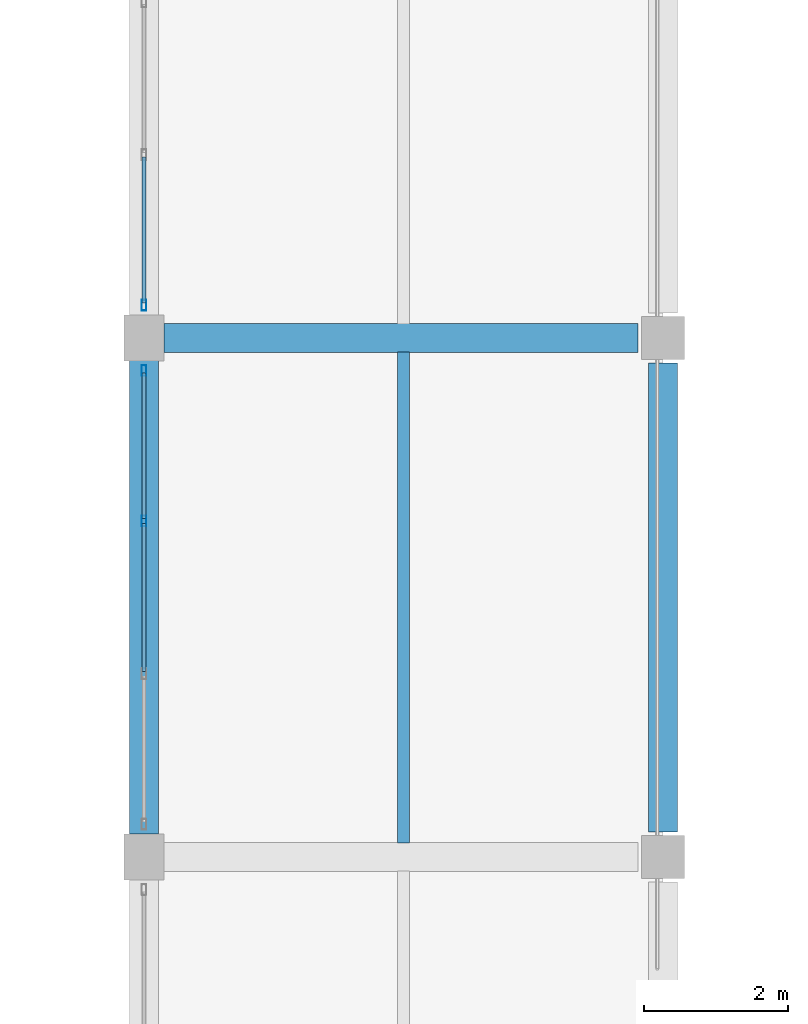
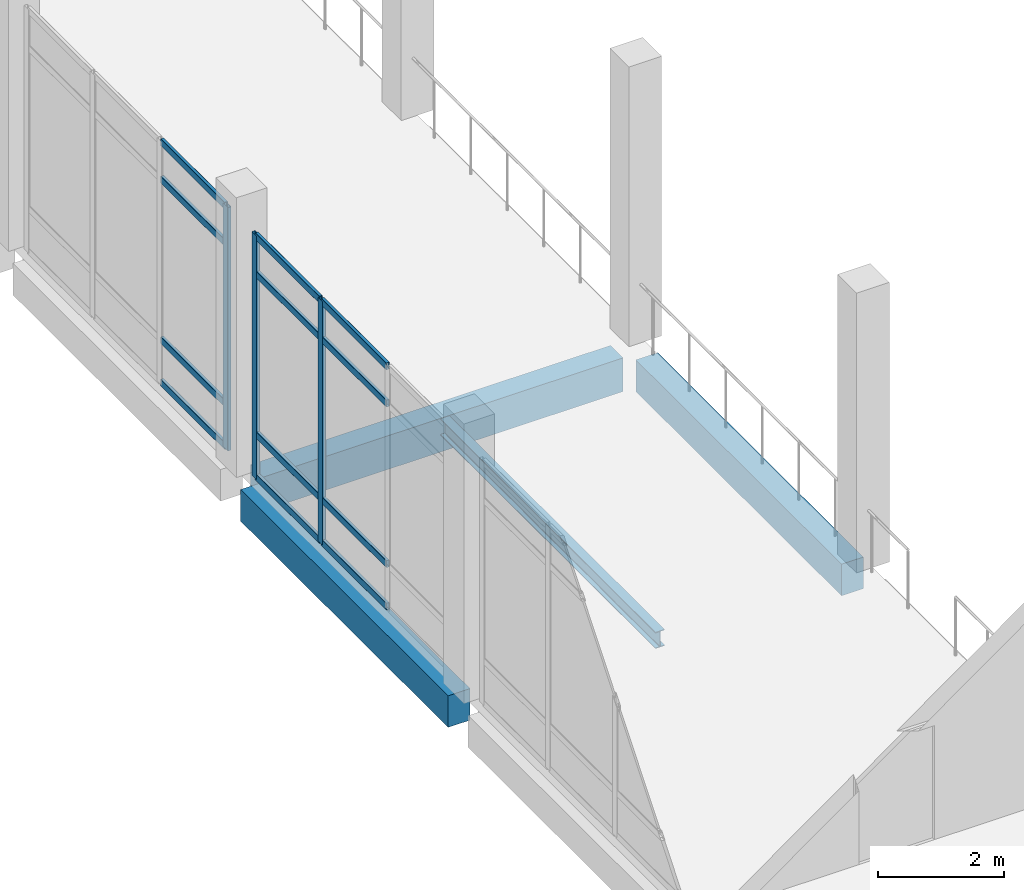
# One storey, part 109 of 180: 15 members, 4 beams, 2 elements without a shape of their own.
"""IFC4 building model written with IfcOpenShell, lengths in metres."""

from ifc_helpers import new_model, si_unit, direction, frame, origin, origin_2d, place, context, subcontext, project, spatial, rectangle, hollow_rectangle, i_section, extrude, material, material_profile, profile_set, type_object, element, aggregate, save


model = new_model("IFC4")

# Units and contexts
model_context = context("Model", 3, precision=1e-05, world=origin(), true_north=direction((0.0, 1.0)))
body_context = subcontext(model_context, "Body", "Model", "MODEL_VIEW")
ifc_project = project(units=[si_unit("LENGTHUNIT", "METRE"), si_unit("AREAUNIT", "SQUARE_METRE"), si_unit("VOLUMEUNIT", "CUBIC_METRE"), si_unit("PLANEANGLEUNIT", "RADIAN"), si_unit("MASSUNIT", "GRAM", prefix="KILO")], contexts=[model_context])

# Site, building, storey
site_placement = place(None, origin())
site = spatial("IfcSite", under=ifc_project, at=site_placement, CompositionType="ELEMENT")
building_placement = place(site_placement, origin())
building = spatial("IfcBuilding", under=site, at=building_placement, Name="Lusvemor Sports Hall", CompositionType="ELEMENT")
storey_placement = place(building_placement, frame((0.0, 0.0, 5.39990234375)))
storey = spatial("IfcBuildingStorey", under=building, at=storey_placement, Name="L01", CompositionType="ELEMENT", Elevation=5.39990234375)

# Beam
ifc_material_1 = material(Name="Concrete C40/50", Category="concrete")
ifc_material_profile_1 = material_profile(ifc_material_1, rectangle(XDim=0.39990234375, YDim=0.64990234375, at=origin_2d()), Name="RC400x650")
ifc_profile_set_1 = profile_set([ifc_material_profile_1], Name="Concrete C40/50")
beam_type_1 = type_object("IfcBeamType", Name="BEAM_RC_650", PredefinedType="BEAM", material=ifc_profile_set_1)
beam_1_placement = place(storey_placement, frame((133.47607421875, 61.199951171875, -0.5849609375), z_axis=(1.0, 0.0, 0.0), x_axis=(0.0, 1.0, 0.0)))
element("IfcBeam", 1, at=beam_1_placement, inside=storey, type_object=beam_type_1, Name="Beam L01 H:15-16", PredefinedType="BEAM", context=body_context, shape_type="SweptSolid", body=[
    extrude(rectangle(XDim=0.39990234375, YDim=0.64990234375, at=origin_2d()), origin(), (0.0, 0.0, 1.0), 6.577880859375),
])

# Curtain wall, members
ifc_material_2 = material(Name="Thermally broken bronze-anodized aluminium", Category="aluminium")
curtain_wall_type = type_object("IfcCurtainWallType", Name="CW_CLIMB_D", PredefinedType="NOTDEFINED", material=ifc_material_2)
curtain_wall_1_placement = place(storey_placement, origin())
curtain_wall_1 = element("IfcCurtainWall", 2, at=curtain_wall_1_placement, inside=storey, type_object=curtain_wall_type, Name="Curtain Wall CW-V3W-L01-1", PredefinedType="NOTDEFINED")
ifc_material_3 = material(Name="Thermally broken bronze-anodized aluminium", Category="aluminium")
ifc_material_profile_2 = material_profile(ifc_material_3, hollow_rectangle(XDim=0.06494140625, YDim=0.14990234375, WallThickness=0.00390625, InnerFilletRadius=0.00390625, OuterFilletRadius=0.008056640625, at=origin_2d()), Name="CWMUL150x65x4")
ifc_profile_set_2 = profile_set([ifc_material_profile_2], Name="Thermally broken bronze-anodized aluminium")
member_type_1 = type_object("IfcMemberType", Name="CW_MUL_B", PredefinedType="MULLION", material=ifc_profile_set_2)
member_1_placement = place(storey_placement, frame((133.199951171875, 58.659912109375, 0.0), z_axis=(0.0, 0.0, 1.0), x_axis=(-1.0, 0.0, 0.0)))
member_1 = element("IfcMember", 3, at=member_1_placement, type_object=member_type_1, Name="CW04 mullion 3", PredefinedType="MULLION", context=body_context, shape_type="SweptSolid", body=[
    extrude(hollow_rectangle(XDim=0.06494140625, YDim=0.14990234375, WallThickness=0.00390625, InnerFilletRadius=0.00390625, OuterFilletRadius=0.008056640625, at=origin_2d()), origin(), (0.0, 0.0, 1.0), 4.7001953125),
])
member_2_placement = place(storey_placement, frame((133.199951171875, 60.74755859375, 0.0), z_axis=(0.0, 0.0, 1.0), x_axis=(-1.0, 0.0, 0.0)))
member_2 = element("IfcMember", 4, at=member_2_placement, type_object=member_type_1, Name="CW04 mullion 4", PredefinedType="MULLION", context=body_context, shape_type="SweptSolid", body=[
    extrude(hollow_rectangle(XDim=0.06494140625, YDim=0.14990234375, WallThickness=0.00390625, InnerFilletRadius=0.00390625, OuterFilletRadius=0.008056640625, at=origin_2d()), origin(), (0.0, 0.0, 1.0), 4.7001953125),
])

# Curtain wall, member
curtain_wall_2_placement = place(storey_placement, origin())
curtain_wall_2 = element("IfcCurtainWall", 5, at=curtain_wall_2_placement, inside=storey, type_object=curtain_wall_type, Name="Curtain Wall CW-V3W-L01-2", PredefinedType="NOTDEFINED")
member_3_placement = place(storey_placement, frame((133.199951171875, 61.652587890625, 0.0), z_axis=(0.0, 0.0, 1.0), x_axis=(-1.0, 0.0, 0.0)))
member_3 = element("IfcMember", 6, at=member_3_placement, type_object=member_type_1, Name="CW04 mullion 1", PredefinedType="MULLION", context=body_context, shape_type="SweptSolid", body=[
    extrude(hollow_rectangle(XDim=0.06494140625, YDim=0.14990234375, WallThickness=0.00390625, InnerFilletRadius=0.00390625, OuterFilletRadius=0.008056640625, at=origin_2d()), origin(), (0.0, 0.0, 1.0), 4.7001953125),
])

# Member
ifc_material_4 = material(Name="Thermally broken bronze-anodized aluminium", Category="aluminium")
ifc_material_profile_3 = material_profile(ifc_material_4, hollow_rectangle(XDim=0.06005859375, YDim=0.135009765625, WallThickness=0.00390625, InnerFilletRadius=0.00390625, OuterFilletRadius=0.008056640625, at=origin_2d()), Name="CWTRN135x60x4")
ifc_profile_set_3 = profile_set([ifc_material_profile_3], Name="Thermally broken bronze-anodized aluminium")
member_type_2 = type_object("IfcMemberType", Name="CW_TRN_B", PredefinedType="USERDEFINED", material=ifc_profile_set_3)
member_4_placement = place(storey_placement, frame((133.199951171875, 56.572509765625, 0.030029296875), z_axis=(0.0, 1.0, 0.0), x_axis=(-1.0, 0.0, 0.0)))
member_4 = element("IfcMember", 7, at=member_4_placement, type_object=member_type_2, Name="CW04 transom 2.1", ObjectType="TRANSOM", PredefinedType="USERDEFINED", context=body_context, shape_type="SweptSolid", body=[
    extrude(hollow_rectangle(XDim=0.06005859375, YDim=0.135009765625, WallThickness=0.00390625, InnerFilletRadius=0.00390625, OuterFilletRadius=0.008056640625, at=origin_2d()), origin(), (0.0, 0.0, 1.0), 2.054931640625),
])

member_5_placement = place(storey_placement, frame((133.199951171875, 56.572509765625, 0.85009765625), z_axis=(0.0, 1.0, 0.0), x_axis=(-1.0, 0.0, 0.0)))
member_5 = element("IfcMember", 8, at=member_5_placement, type_object=member_type_2, Name="CW04 transom 2.2", ObjectType="TRANSOM", PredefinedType="USERDEFINED", context=body_context, shape_type="SweptSolid", body=[
    extrude(hollow_rectangle(XDim=0.06005859375, YDim=0.135009765625, WallThickness=0.00390625, InnerFilletRadius=0.00390625, OuterFilletRadius=0.008056640625, at=origin_2d()), origin(), (0.0, 0.0, 1.0), 2.054931640625),
])

member_6_placement = place(storey_placement, frame((133.199951171875, 56.572509765625, 3.9501953125), z_axis=(0.0, 1.0, 0.0), x_axis=(-1.0, 0.0, 0.0)))
member_6 = element("IfcMember", 9, at=member_6_placement, type_object=member_type_2, Name="CW04 transom 2.3", ObjectType="TRANSOM", PredefinedType="USERDEFINED", context=body_context, shape_type="SweptSolid", body=[
    extrude(hollow_rectangle(XDim=0.06005859375, YDim=0.135009765625, WallThickness=0.00390625, InnerFilletRadius=0.00390625, OuterFilletRadius=0.008056640625, at=origin_2d()), origin(), (0.0, 0.0, 1.0), 2.054931640625),
])

member_7_placement = place(storey_placement, frame((133.199951171875, 56.572509765625, 4.670166015625), z_axis=(0.0, 1.0, 0.0), x_axis=(-1.0, 0.0, 0.0)))
member_7 = element("IfcMember", 10, at=member_7_placement, type_object=member_type_2, Name="CW04 transom 2.4", ObjectType="TRANSOM", PredefinedType="USERDEFINED", context=body_context, shape_type="SweptSolid", body=[
    extrude(hollow_rectangle(XDim=0.06005859375, YDim=0.135009765625, WallThickness=0.00390625, InnerFilletRadius=0.00390625, OuterFilletRadius=0.008056640625, at=origin_2d()), origin(), (0.0, 0.0, 1.0), 2.054931640625),
])

member_8_placement = place(storey_placement, frame((133.199951171875, 58.6923828125, 0.030029296875), z_axis=(0.0, 1.0, 0.0), x_axis=(-1.0, 0.0, 0.0)))
member_8 = element("IfcMember", 11, at=member_8_placement, type_object=member_type_2, Name="CW04 transom 3.1", ObjectType="TRANSOM", PredefinedType="USERDEFINED", context=body_context, shape_type="SweptSolid", body=[
    extrude(hollow_rectangle(XDim=0.06005859375, YDim=0.135009765625, WallThickness=0.00390625, InnerFilletRadius=0.00390625, OuterFilletRadius=0.008056640625, at=origin_2d()), origin(), (0.0, 0.0, 1.0), 2.022705078125),
])

member_9_placement = place(storey_placement, frame((133.199951171875, 58.6923828125, 0.85009765625), z_axis=(0.0, 1.0, 0.0), x_axis=(-1.0, 0.0, 0.0)))
member_9 = element("IfcMember", 12, at=member_9_placement, type_object=member_type_2, Name="CW04 transom 3.2", ObjectType="TRANSOM", PredefinedType="USERDEFINED", context=body_context, shape_type="SweptSolid", body=[
    extrude(hollow_rectangle(XDim=0.06005859375, YDim=0.135009765625, WallThickness=0.00390625, InnerFilletRadius=0.00390625, OuterFilletRadius=0.008056640625, at=origin_2d()), origin(), (0.0, 0.0, 1.0), 2.022705078125),
])

member_10_placement = place(storey_placement, frame((133.199951171875, 58.6923828125, 3.9501953125), z_axis=(0.0, 1.0, 0.0), x_axis=(-1.0, 0.0, 0.0)))
member_10 = element("IfcMember", 13, at=member_10_placement, type_object=member_type_2, Name="CW04 transom 3.3", ObjectType="TRANSOM", PredefinedType="USERDEFINED", context=body_context, shape_type="SweptSolid", body=[
    extrude(hollow_rectangle(XDim=0.06005859375, YDim=0.135009765625, WallThickness=0.00390625, InnerFilletRadius=0.00390625, OuterFilletRadius=0.008056640625, at=origin_2d()), origin(), (0.0, 0.0, 1.0), 2.022705078125),
])

member_11_placement = place(storey_placement, frame((133.199951171875, 58.6923828125, 4.670166015625), z_axis=(0.0, 1.0, 0.0), x_axis=(-1.0, 0.0, 0.0)))
member_11 = element("IfcMember", 14, at=member_11_placement, type_object=member_type_2, Name="CW04 transom 3.4", ObjectType="TRANSOM", PredefinedType="USERDEFINED", context=body_context, shape_type="SweptSolid", body=[
    extrude(hollow_rectangle(XDim=0.06005859375, YDim=0.135009765625, WallThickness=0.00390625, InnerFilletRadius=0.00390625, OuterFilletRadius=0.008056640625, at=origin_2d()), origin(), (0.0, 0.0, 1.0), 2.022705078125),
])

aggregate(curtain_wall_1, [member_1, member_2, member_4, member_5, member_6, member_7, member_8, member_9, member_10, member_11])

member_12_placement = place(storey_placement, frame((133.199951171875, 61.68505859375, 0.030029296875), z_axis=(0.0, 1.0, 0.0), x_axis=(-1.0, 0.0, 0.0)))
member_12 = element("IfcMember", 15, at=member_12_placement, type_object=member_type_2, Name="CW04 transom 1.1", ObjectType="TRANSOM", PredefinedType="USERDEFINED", context=body_context, shape_type="SweptSolid", body=[
    extrude(hollow_rectangle(XDim=0.06005859375, YDim=0.135009765625, WallThickness=0.00390625, InnerFilletRadius=0.00390625, OuterFilletRadius=0.008056640625, at=origin_2d()), origin(), (0.0, 0.0, 1.0), 2.0224609375),
])

member_13_placement = place(storey_placement, frame((133.199951171875, 61.68505859375, 0.85009765625), z_axis=(0.0, 1.0, 0.0), x_axis=(-1.0, 0.0, 0.0)))
member_13 = element("IfcMember", 16, at=member_13_placement, type_object=member_type_2, Name="CW04 transom 1.2", ObjectType="TRANSOM", PredefinedType="USERDEFINED", context=body_context, shape_type="SweptSolid", body=[
    extrude(hollow_rectangle(XDim=0.06005859375, YDim=0.135009765625, WallThickness=0.00390625, InnerFilletRadius=0.00390625, OuterFilletRadius=0.008056640625, at=origin_2d()), origin(), (0.0, 0.0, 1.0), 2.0224609375),
])

member_14_placement = place(storey_placement, frame((133.199951171875, 61.68505859375, 3.9501953125), z_axis=(0.0, 1.0, 0.0), x_axis=(-1.0, 0.0, 0.0)))
member_14 = element("IfcMember", 17, at=member_14_placement, type_object=member_type_2, Name="CW04 transom 1.3", ObjectType="TRANSOM", PredefinedType="USERDEFINED", context=body_context, shape_type="SweptSolid", body=[
    extrude(hollow_rectangle(XDim=0.06005859375, YDim=0.135009765625, WallThickness=0.00390625, InnerFilletRadius=0.00390625, OuterFilletRadius=0.008056640625, at=origin_2d()), origin(), (0.0, 0.0, 1.0), 2.0224609375),
])

member_15_placement = place(storey_placement, frame((133.199951171875, 61.68505859375, 4.670166015625), z_axis=(0.0, 1.0, 0.0), x_axis=(-1.0, 0.0, 0.0)))
member_15 = element("IfcMember", 18, at=member_15_placement, type_object=member_type_2, Name="CW04 transom 1.4", ObjectType="TRANSOM", PredefinedType="USERDEFINED", context=body_context, shape_type="SweptSolid", body=[
    extrude(hollow_rectangle(XDim=0.06005859375, YDim=0.135009765625, WallThickness=0.00390625, InnerFilletRadius=0.00390625, OuterFilletRadius=0.008056640625, at=origin_2d()), origin(), (0.0, 0.0, 1.0), 2.0224609375),
])

aggregate(curtain_wall_2, [member_3, member_12, member_13, member_14, member_15])

# Beams
ifc_material_5 = material(Name="Steel S355", Category="steel")
ifc_material_profile_4 = material_profile(ifc_material_5, i_section(OverallWidth=0.1669921875, OverallDepth=0.31689453125, WebThickness=0.007568359375, FlangeThickness=0.01318359375, FilletRadius=0.014892578125, at=origin_2d()), Name="W310x52.0")
ifc_profile_set_4 = profile_set([ifc_material_profile_4], Name="Steel S355")
beam_type_2 = type_object("IfcBeamType", Name="JOIST_ST_310M", PredefinedType="JOIST", material=ifc_profile_set_4)
beam_2_placement = place(storey_placement, frame((136.800048828125, 54.196044921875, -0.42236328125), z_axis=(0.0, 1.0, 0.0), x_axis=(-1.0, 0.0, 0.0)))
element("IfcBeam", 19, at=beam_2_placement, inside=storey, type_object=beam_type_2, Name="Secondary Joist L01 15-16/G-H #1", PredefinedType="JOIST", context=body_context, shape_type="SweptSolid", body=[
    extrude(i_section(OverallWidth=0.1669921875, OverallDepth=0.31689453125, WebThickness=0.007568359375, FlangeThickness=0.01318359375, FilletRadius=0.014892578125, at=origin_2d()), origin(), (0.0, 0.0, 1.0), 6.807861328125),
])
ifc_material_6 = material(Name="Concrete C40/50", Category="concrete")
ifc_material_profile_5 = material_profile(ifc_material_6, rectangle(XDim=0.39990234375, YDim=0.610107421875, at=origin_2d()), Name="RC400x610")
ifc_profile_set_5 = profile_set([ifc_material_profile_5], Name="Concrete C40/50")
beam_type_3 = type_object("IfcBeamType", Name="SPAND_EXT_650", PredefinedType="SPANDREL", material=ifc_profile_set_5)
beam_3_placement = place(storey_placement, frame((133.199951171875, 54.31591796875, -0.56494140625), z_axis=(0.0, 1.0, 0.0), x_axis=(-1.0, 0.0, 0.0)))
element("IfcBeam", 20, at=beam_3_placement, inside=storey, type_object=beam_type_3, Name="Beam L01 15:G-H", PredefinedType="SPANDREL", context=body_context, shape_type="SweptSolid", body=[
    extrude(rectangle(XDim=0.39990234375, YDim=0.610107421875, at=origin_2d()), origin(), (0.0, 0.0, 1.0), 6.568115234375),
])
beam_4_placement = place(storey_placement, frame((140.39990234375, 54.345947265625, -0.56494140625), z_axis=(0.0, 1.0, 0.0), x_axis=(-1.0, 0.0, 0.0)))
element("IfcBeam", 21, at=beam_4_placement, inside=storey, type_object=beam_type_3, Name="Beam L01 16:G-H", PredefinedType="SPANDREL", context=body_context, shape_type="SweptSolid", body=[
    extrude(rectangle(XDim=0.39990234375, YDim=0.610107421875, at=origin_2d()), origin(), (0.0, 0.0, 1.0), 6.508056640625),
])

save(model, "model.ifc")
